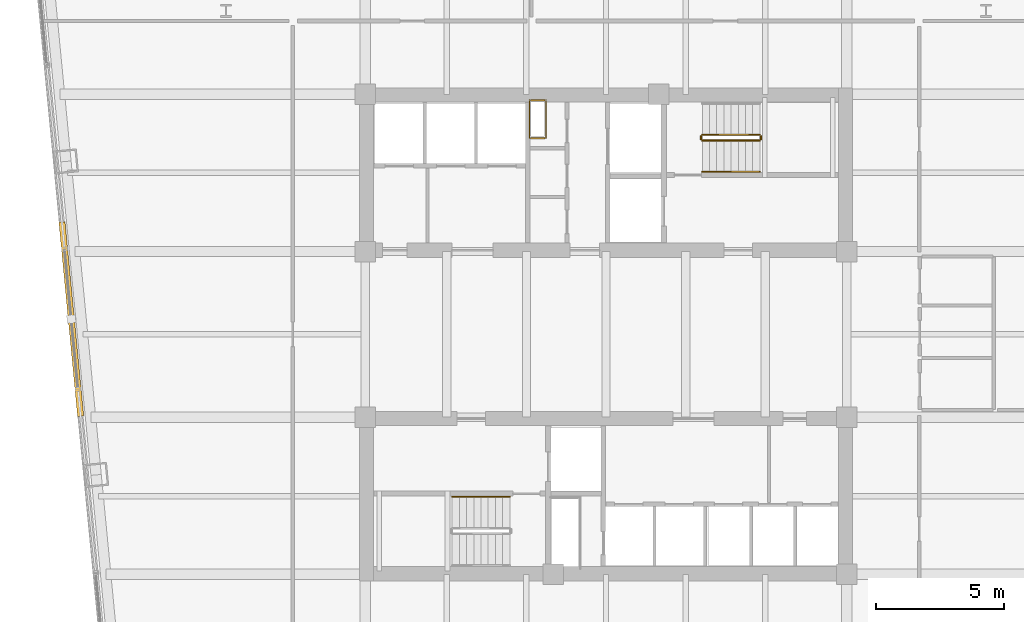
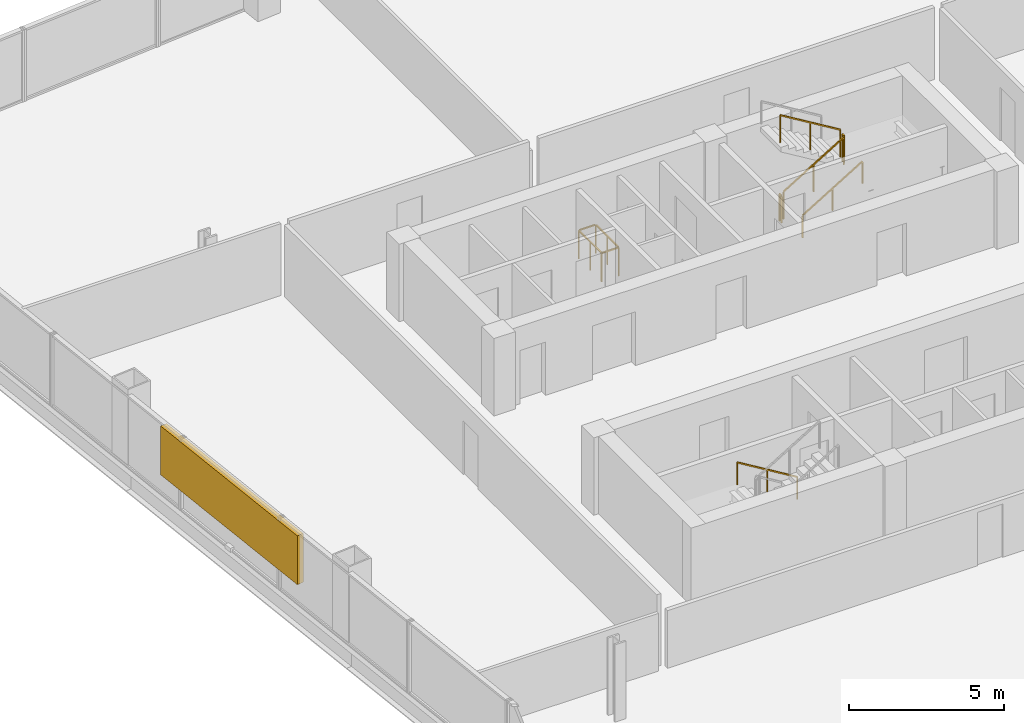
# One storey, part 25 of 26: 7 railings, 1 shading device.
"""IFC4 building model written with IfcOpenShell, lengths in metres."""

import ifcopenshell
import ifcopenshell.guid

model = None  # the IFC model being written
_history = None  # IfcOwnerHistory: only IFC2X3 demands one
_inside = {}  # id of a spatial element -> (the spatial element, [elements in it])
_under = {}  # id of a project, library or spatial element -> (it, [spatial elements below it])
_declared = {}  # id of a project -> (the project, [libraries it declares])
_typed = {}  # id of a type object -> (the type object, [elements of that type])
_made_of = {}  # id of a material, layer set ... -> (it, [elements and type objects made of it])


def new_model(schema):
    """Start an empty IFC model of exactly this schema.

    Asked for "IFC4X3", IfcOpenShell would pick the latest addendum, in which some entities
    have other attributes; the version numbers below select the first issue.
    IFC2X3 requires an IfcOwnerHistory on every rooted entity: one is made here for all.
    """
    global model, _history
    if schema == "IFC4X3":
        model = ifcopenshell.file(schema_version=(4, 3, 0, 0))
    else:
        model = ifcopenshell.file(schema=schema)
    _inside.clear()
    _under.clear()
    _declared.clear()
    _typed.clear()
    _made_of.clear()
    _history = None
    if model.schema == "IFC2X3":
        org = make("IfcOrganization", Name="unknown")
        user = make(
            "IfcPersonAndOrganization",
            ThePerson=make("IfcPerson", FamilyName="unknown"),
            TheOrganization=org,
        )
        app = make(
            "IfcApplication",
            ApplicationDeveloper=org,
            Version="unknown",
            ApplicationFullName="unknown",
            ApplicationIdentifier="unknown",
        )
        _history = make(
            "IfcOwnerHistory",
            OwningUser=user,
            OwningApplication=app,
            ChangeAction="ADDED",
            CreationDate=0,
        )
    return model


def make(cls, **values):
    """One entity of the class cls with the attributes given. An attribute that is None is left unset."""
    return model.create_entity(
        cls, **{name: value for name, value in values.items() if value is not None}
    )


def rooted(cls, **values):
    """An entity with a GlobalId (a new one), such as an element, a storey or a relation."""
    return make(cls, GlobalId=ifcopenshell.guid.new(), OwnerHistory=_history, **values)


def si_unit(unit_type, name, prefix=None):
    """IfcSIUnit, for example si_unit("LENGTHUNIT", "METRE", prefix="MILLI")."""
    return make("IfcSIUnit", UnitType=unit_type, Prefix=prefix, Name=name)


def assignment(units):
    """IfcUnitAssignment: the units of a project."""
    return None if units is None else make("IfcUnitAssignment", Units=units)


def point(xyz):
    """IfcCartesianPoint."""
    return None if xyz is None else make("IfcCartesianPoint", Coordinates=xyz)


def direction(xyz):
    """IfcDirection."""
    return None if xyz is None else make("IfcDirection", DirectionRatios=xyz)


def frame(location, z_axis=None, x_axis=None):
    """IfcAxis2Placement3D, a coordinate frame: its origin and axes. An axis left out is left unset."""
    return make(
        "IfcAxis2Placement3D",
        Location=point(location),
        Axis=direction(z_axis),
        RefDirection=direction(x_axis),
    )


def frame_2d(location, x_axis=None):
    """IfcAxis2Placement2D, a coordinate frame in the plane: its origin and x axis."""
    return make(
        "IfcAxis2Placement2D", Location=point(location), RefDirection=direction(x_axis)
    )


def origin():
    """The frame at (0, 0, 0) with its axes left unset."""
    return frame((0.0, 0.0, 0.0))


def origin_2d():
    """The frame at (0, 0) in the plane with its x axis left unset."""
    return frame_2d((0.0, 0.0))


def place(relative_to, where):
    """IfcLocalPlacement: puts the frame where relative to a parent placement (None: the world)."""
    return make(
        "IfcLocalPlacement", PlacementRelTo=relative_to, RelativePlacement=where
    )


def context(
    kind, dimensions, precision=None, world=None, true_north=None, identifier=None
):
    """IfcGeometricRepresentationContext, for example the 3D "Model" context."""
    return make(
        "IfcGeometricRepresentationContext",
        ContextIdentifier=identifier,
        ContextType=kind,
        CoordinateSpaceDimension=dimensions,
        Precision=precision,
        WorldCoordinateSystem=world,
        TrueNorth=true_north,
    )


def subcontext(parent, identifier, kind, view, scale=None):
    """IfcGeometricRepresentationSubContext, for example "Body" below "Model"."""
    return make(
        "IfcGeometricRepresentationSubContext",
        ContextIdentifier=identifier,
        ContextType=kind,
        ParentContext=parent,
        TargetScale=scale,
        TargetView=view,
    )


def project(units=None, contexts=None):
    """IfcProject with its units and contexts."""
    return rooted(
        "IfcProject",
        Name="project",
        RepresentationContexts=contexts,
        UnitsInContext=assignment(units),
    )


def spatial(cls, under=None, at=None, **own):
    """A site, building, storey or space (cls), placed at a placement, below another one or the project."""
    s = rooted(cls, ObjectPlacement=at, **own)
    if under is not None:
        _under.setdefault(under.id(), (under, []))[1].append(s)
    return s


def profile(cls, at=None, kind="AREA", **sizes):
    """A parametric profile (cls). Its sizes go by their IFC names, for example OverallWidth=200.0."""
    return make(cls, ProfileType=kind, Position=at, **sizes)


def rectangle(**sizes):
    """IfcRectangleProfileDef."""
    return profile("IfcRectangleProfileDef", **sizes)


def extrude(swept, where, along, depth):
    """IfcExtrudedAreaSolid: the profile swept, set in the frame where, extruded along a direction by depth."""
    return make(
        "IfcExtrudedAreaSolid",
        SweptArea=swept,
        Position=where,
        ExtrudedDirection=direction(along),
        Depth=depth,
    )


def shape(context_of_items, identifier, shape_type, items):
    """IfcShapeRepresentation: the items that make up one representation, for example the "Body"."""
    return make(
        "IfcShapeRepresentation",
        ContextOfItems=context_of_items,
        RepresentationIdentifier=identifier,
        RepresentationType=shape_type,
        Items=items,
    )


def material(Name=None, Category=None):
    """IfcMaterial."""
    return make("IfcMaterial", Name=Name, Category=Category)


def made_of(thing, what):
    """Note that an element or type object is made of a material, layer set ...; save() writes the relation."""
    if what is not None:
        _made_of.setdefault(what.id(), (what, []))[1].append(thing)
    return thing


def type_object(cls, material=None, **own):
    """A type object (cls), such as IfcWallType, which elements share."""
    return made_of(rooted(cls, **own), material)


def element(
    cls,
    number,
    at=None,
    inside=None,
    cuts=None,
    type_object=None,
    material=None,
    context=None,
    identifier="Body",
    shape_type=None,
    held_by="IfcProductDefinitionShape",
    body=None,
    shapes=None,
    **own,
):
    """One element of the class cls, such as IfcWall. Its Tag is "e" and its number.

    at: its placement. inside: the storey or other place that contains it. cuts: it is an
    opening in that element (IfcRelVoidsElement). A single representation is given by context,
    identifier, shape_type and body (its items); several are given by shapes. held_by: the class
    of the entity that holds the representations. save() writes the other relations.
    """
    e = rooted(cls, Tag="e%d" % number, ObjectPlacement=at, **own)
    if body is not None:
        shapes = [shape(context, identifier, shape_type, body)]
    if shapes is not None:
        e.Representation = make(held_by, Representations=shapes)
    if inside is not None:
        _inside.setdefault(inside.id(), (inside, []))[1].append(e)
    if cuts is not None:
        rooted(
            "IfcRelVoidsElement", RelatingBuildingElement=cuts, RelatedOpeningElement=e
        )
    if type_object is not None:
        _typed.setdefault(type_object.id(), (type_object, []))[1].append(e)
    return made_of(e, material)


def aggregate(whole, parts):
    """IfcRelAggregates: a whole, such as a stair, and the parts it consists of."""
    return rooted("IfcRelAggregates", RelatingObject=whole, RelatedObjects=parts)


def save(model, path):
    """Write the relations noted so far, then the file.

    IfcRelAggregates (storeys below a building ...), IfcRelContainedInSpatialStructure (elements
    in a storey), IfcRelDefinesByType, IfcRelAssociatesMaterial and IfcRelDeclares: one each for
    every whole, place, type object, material and project.
    """
    for whole, parts in _under.values():
        aggregate(whole, parts)
    for where, things in _inside.values():
        rooted(
            "IfcRelContainedInSpatialStructure",
            RelatedElements=things,
            RelatingStructure=where,
        )
    for kind, things in _typed.values():
        rooted("IfcRelDefinesByType", RelatedObjects=things, RelatingType=kind)
    for what, things in _made_of.values():
        rooted("IfcRelAssociatesMaterial", RelatedObjects=things, RelatingMaterial=what)
    for by, libraries in _declared.values():
        rooted("IfcRelDeclares", RelatingContext=by, RelatedDefinitions=libraries)
    model.write(path)


model = new_model("IFC4")

# Units and contexts
model_context = context("Model", 3, precision=1e-05, world=origin(), true_north=direction((0.0, 1.0)))
body_context = subcontext(model_context, "Body", "Model", "MODEL_VIEW")
ifc_project = project(units=[si_unit("LENGTHUNIT", "METRE"), si_unit("AREAUNIT", "SQUARE_METRE"), si_unit("VOLUMEUNIT", "CUBIC_METRE"), si_unit("PLANEANGLEUNIT", "RADIAN"), si_unit("MASSUNIT", "GRAM", prefix="KILO")], contexts=[model_context])

# Site, building, storey
site_placement = place(None, origin())
site = spatial("IfcSite", under=ifc_project, at=site_placement, CompositionType="ELEMENT")
building_placement = place(site_placement, origin())
building = spatial("IfcBuilding", under=site, at=building_placement, Name="Qhalaya Broadcast Tower", CompositionType="ELEMENT")
storey_placement = place(building_placement, frame((0.0, 0.0, 72.5)))
storey = spatial("IfcBuildingStorey", under=building, at=storey_placement, Name="L20", CompositionType="ELEMENT", Elevation=72.5)

# Railings
ifc_material_1 = material(Name="Powder-Coated Galvanised Steel", Category="steel")
railing_type_1 = type_object("IfcRailingType", Name="Stair Wall Handrail 900", PredefinedType="HANDRAIL", material=ifc_material_1)
railing_1_placement = place(storey_placement, frame((3.75, 6.929931640625, 0.16943359375)))
element("IfcRailing", 1, at=railing_1_placement, inside=storey, type_object=railing_type_1, Name="L20 ST-1 Stair Handrail 1", PredefinedType="HANDRAIL", context=body_context, shape_type="SweptSolid", body=[
    extrude(rectangle(XDim=0.048095703125, YDim=0.048095703125, at=origin_2d()), frame((0.0, 0.0, 0.8759765625), z_axis=(0.855553338991, 0.0, 0.51771467445), x_axis=(0.0, 1.0, 0.0)), (0.0, 0.0, 1.0), 2.6181640625),
    extrude(rectangle(XDim=0.0419921875, YDim=0.0419921875, at=origin_2d()), origin(), (0.0, 0.0, 1.0), 0.849853515625),
    extrude(rectangle(XDim=0.0419921875, YDim=0.0419921875, at=origin_2d()), frame((1.1201171875, 0.0, 0.677734375)), (0.0, 0.0, 1.0), 0.849853515625),
    extrude(rectangle(XDim=0.0419921875, YDim=0.0419921875, at=origin_2d()), frame((2.239990234375, 0.0, 1.35546875)), (0.0, 0.0, 1.0), 0.849853515625),
])
railing_2_placement = place(storey_placement, frame((-3.75, -5.72998046875, 0.16943359375)))
element("IfcRailing", 2, at=railing_2_placement, inside=storey, type_object=railing_type_1, Name="L20 ST-2 Stair Handrail 1", PredefinedType="HANDRAIL", context=body_context, shape_type="SweptSolid", body=[
    extrude(rectangle(XDim=0.048095703125, YDim=0.048095703125, at=origin_2d()), frame((0.0, 0.0, 0.8759765625), z_axis=(-0.855553338991, 0.0, 0.51771467445), x_axis=(0.0, -1.0, 0.0)), (0.0, 0.0, 1.0), 2.6181640625),
    extrude(rectangle(XDim=0.0419921875, YDim=0.0419921875, at=origin_2d()), origin(), (0.0, 0.0, 1.0), 0.849853515625),
    extrude(rectangle(XDim=0.0419921875, YDim=0.0419921875, at=origin_2d()), frame((-1.1201171875, 0.0, 0.677734375)), (0.0, 0.0, 1.0), 0.849853515625),
    extrude(rectangle(XDim=0.0419921875, YDim=0.0419921875, at=origin_2d()), frame((-2.239990234375, 0.0, 1.35546875)), (0.0, 0.0, 1.0), 0.849853515625),
])
railing_type_2 = type_object("IfcRailingType", Name="Stair Well & Landing Guardrail 1100", PredefinedType="GUARDRAIL", material=ifc_material_1)
railing_3_placement = place(storey_placement, frame((-2.340087890625, 8.239990234375, 0.0)))
element("IfcRailing", 3, at=railing_3_placement, inside=storey, type_object=railing_type_2, Name="L20 Service Riser Opening Safety Guard NRSR", PredefinedType="GUARDRAIL", context=body_context, shape_type="SweptSolid", body=[
    extrude(rectangle(XDim=0.048095703125, YDim=0.048095703125, at=origin_2d()), frame((0.0, 0.02880859375, 1.1259765625), z_axis=(0.0, 1.0, 0.0), x_axis=(-1.0, 0.0, 0.0)), (0.0, 0.0, 1.0), 1.42236328125),
    extrude(rectangle(XDim=0.048095703125, YDim=0.048095703125, at=origin_2d()), frame((-0.02880859375, 1.47998046875, 1.1259765625), z_axis=(-1.0, 0.0, 0.0), x_axis=(0.0, -1.0, 0.0)), (0.0, 0.0, 1.0), 0.582275390625),
    extrude(rectangle(XDim=0.048095703125, YDim=0.048095703125, at=origin_2d()), frame((-0.639892578125, 1.451171875, 1.1259765625), z_axis=(0.0, -1.0, 0.0), x_axis=(1.0, 0.0, 0.0)), (0.0, 0.0, 1.0), 1.42236328125),
    extrude(rectangle(XDim=0.048095703125, YDim=0.048095703125, at=origin_2d()), frame((-0.611083984375, 0.0, 1.1259765625), z_axis=(1.0, 0.0, 0.0), x_axis=(0.0, 1.0, 0.0)), (0.0, 0.0, 1.0), 0.582275390625),
    extrude(rectangle(XDim=0.0419921875, YDim=0.0419921875, at=origin_2d()), origin(), (0.0, 0.0, 1.0), 1.099853515625),
    extrude(rectangle(XDim=0.0419921875, YDim=0.0419921875, at=origin_2d()), frame((0.0, 0.739990234375, 0.0)), (0.0, 0.0, 1.0), 1.099853515625),
    extrude(rectangle(XDim=0.0419921875, YDim=0.0419921875, at=origin_2d()), frame((0.0, 1.47998046875, 0.0)), (0.0, 0.0, 1.0), 1.099853515625),
    extrude(rectangle(XDim=0.0419921875, YDim=0.0419921875, at=origin_2d()), frame((-0.639892578125, 1.47998046875, 0.0)), (0.0, 0.0, 1.0), 1.099853515625),
    extrude(rectangle(XDim=0.0419921875, YDim=0.0419921875, at=origin_2d()), frame((-0.639892578125, 0.739990234375, 0.0)), (0.0, 0.0, 1.0), 1.099853515625),
    extrude(rectangle(XDim=0.0419921875, YDim=0.0419921875, at=origin_2d()), frame((-0.639892578125, 0.0, 0.0)), (0.0, 0.0, 1.0), 1.099853515625),
])
railing_4_placement = place(storey_placement, frame((3.75, 8.14990234375, 0.16943359375)))
element("IfcRailing", 4, at=railing_4_placement, inside=storey, type_object=railing_type_2, Name="L20 ST-1 Stair Guard 1", PredefinedType="GUARDRAIL", context=body_context, shape_type="SweptSolid", body=[
    extrude(rectangle(XDim=0.048095703125, YDim=0.048095703125, at=origin_2d()), frame((0.0, 0.0, 1.076171875), z_axis=(0.855553338991, 0.0, 0.51771467445), x_axis=(0.0, 1.0, 0.0)), (0.0, 0.0, 1.0), 2.6181640625),
    extrude(rectangle(XDim=0.0419921875, YDim=0.0419921875, at=origin_2d()), origin(), (0.0, 0.0, 1.0), 1.050048828125),
    extrude(rectangle(XDim=0.0419921875, YDim=0.0419921875, at=origin_2d()), frame((1.1201171875, 0.0, 0.677734375)), (0.0, 0.0, 1.0), 1.050048828125),
    extrude(rectangle(XDim=0.0419921875, YDim=0.0419921875, at=origin_2d()), frame((2.239990234375, 0.0, 1.35546875)), (0.0, 0.0, 1.0), 1.050048828125),
])
railing_5_placement = place(storey_placement, frame((6.0400390625, 8.199951171875, 1.52490234375)))
element("IfcRailing", 5, at=railing_5_placement, inside=storey, type_object=railing_type_2, Name="L20 ST-1 Stair Guard 2", PredefinedType="GUARDRAIL", context=body_context, shape_type="SweptSolid", body=[
    extrude(rectangle(XDim=0.048095703125, YDim=0.048095703125, at=origin_2d()), frame((0.0, 0.0, 1.076171875), z_axis=(0.0, 1.0, 0.0), x_axis=(-1.0, 0.0, 0.0)), (0.0, 0.0, 1.0), 0.1201171875),
    extrude(rectangle(XDim=0.0419921875, YDim=0.0419921875, at=origin_2d()), origin(), (0.0, 0.0, 1.0), 1.050048828125),
    extrude(rectangle(XDim=0.0419921875, YDim=0.0419921875, at=origin_2d()), frame((0.0, 0.1201171875, 0.0)), (0.0, 0.0, 1.0), 1.050048828125),
])
railing_6_placement = place(storey_placement, frame((5.989990234375, 8.3701171875, 1.6943359375)))
element("IfcRailing", 6, at=railing_6_placement, inside=storey, type_object=railing_type_2, Name="L20 ST-1 Stair Guard 3", PredefinedType="GUARDRAIL", context=body_context, shape_type="SweptSolid", body=[
    extrude(rectangle(XDim=0.048095703125, YDim=0.048095703125, at=origin_2d()), frame((0.0, 0.0, 1.076171875), z_axis=(-0.855512035549, 0.0, 0.517782924622), x_axis=(0.0, -1.0, 0.0)), (0.0, 0.0, 1.0), 2.618408203125),
    extrude(rectangle(XDim=0.0419921875, YDim=0.0419921875, at=origin_2d()), origin(), (0.0, 0.0, 1.0), 1.050048828125),
    extrude(rectangle(XDim=0.0419921875, YDim=0.0419921875, at=origin_2d()), frame((-1.1201171875, 0.0, 0.677734375)), (0.0, 0.0, 1.0), 1.050048828125),
    extrude(rectangle(XDim=0.0419921875, YDim=0.0419921875, at=origin_2d()), frame((-2.239990234375, 0.0, 1.355712890625)), (0.0, 0.0, 1.0), 1.050048828125),
])
railing_7_placement = place(storey_placement, frame((3.699951171875, 8.199951171875, 0.0)))
element("IfcRailing", 7, at=railing_7_placement, inside=storey, type_object=railing_type_2, Name="L20 ST-1 Stair Guard 4", PredefinedType="GUARDRAIL", context=body_context, shape_type="SweptSolid", body=[
    extrude(rectangle(XDim=0.048095703125, YDim=0.048095703125, at=origin_2d()), frame((0.0, 0.0, 1.076171875), z_axis=(0.0, 1.0, 0.0), x_axis=(-1.0, 0.0, 0.0)), (0.0, 0.0, 1.0), 0.1201171875),
    extrude(rectangle(XDim=0.0419921875, YDim=0.0419921875, at=origin_2d()), origin(), (0.0, 0.0, 1.0), 1.050048828125),
    extrude(rectangle(XDim=0.0419921875, YDim=0.0419921875, at=origin_2d()), frame((0.0, 0.1201171875, 0.0)), (0.0, 0.0, 1.0), 1.050048828125),
])

# Shading device
ifc_material_2 = material(Name="Fired Architectural Terracotta", Category="masonry")
shading_device_type = type_object("IfcShadingDeviceType", Name="Terracotta Baguette Solar Screen Assembly TBS-01", PredefinedType="USERDEFINED", material=ifc_material_2)
shading_device_placement = place(storey_placement, frame((-20.827392578125, 1.193603515625, 0.79248046875), z_axis=(0.0, 0.0, 1.0), x_axis=(0.09584575252, -0.995396198367, 0.0)))
element("IfcShadingDevice", 8, at=shading_device_placement, inside=storey, type_object=shading_device_type, Name="L20 Fired Terracotta Baguette Screen W", ObjectType="BAGUETTE", PredefinedType="USERDEFINED", context=body_context, shape_type="SweptSolid", body=[
    extrude(rectangle(XDim=7.60009765625, YDim=0.239990234375, at=origin_2d()), origin(), (0.0, 0.0, 1.0), 1.924072265625),
])

save(model, "model.ifc")
